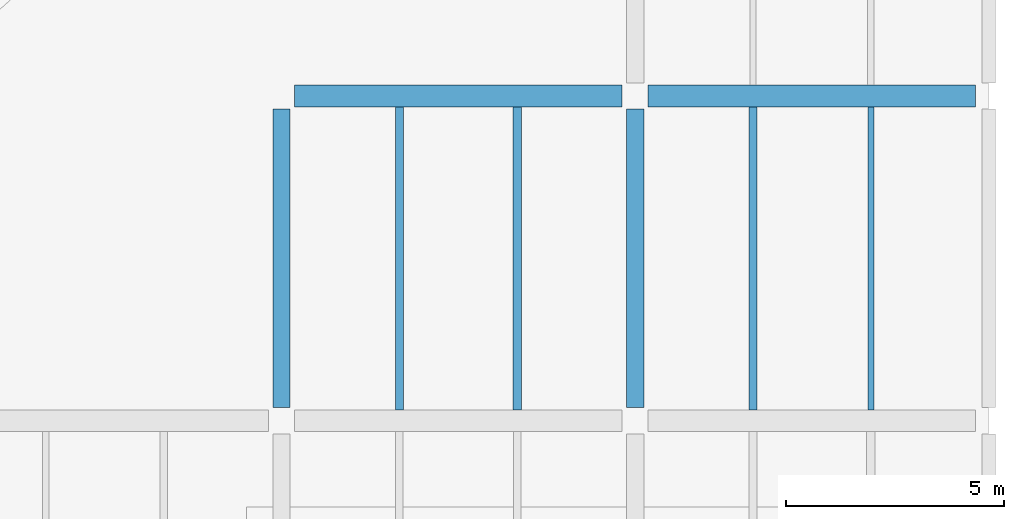
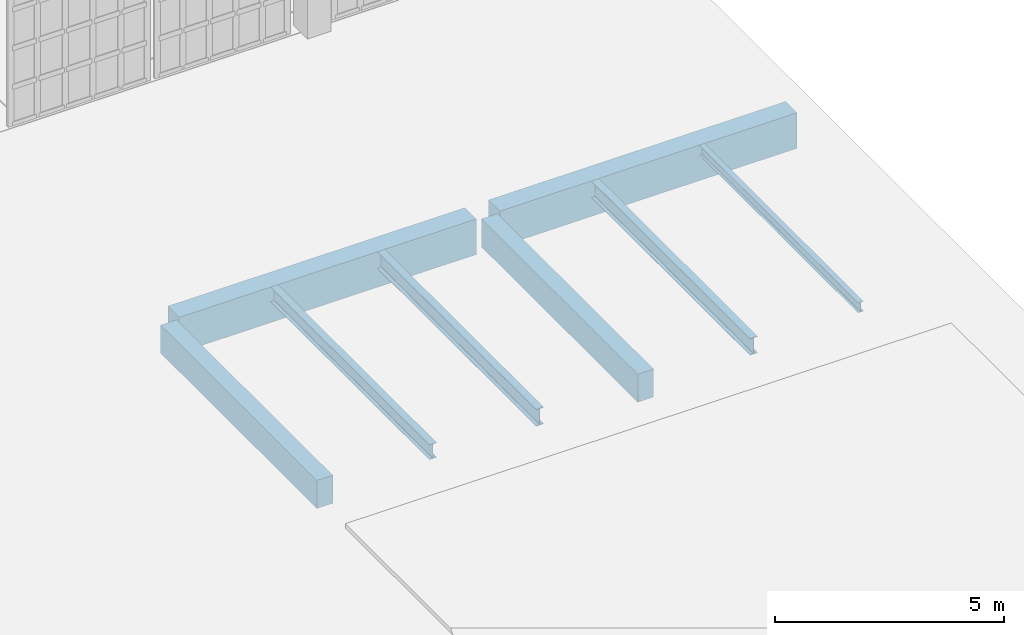
# One storey, part 266 of 372: 8 beams.
"""IFC4 building model written with IfcOpenShell, lengths in metres."""

from ifc_helpers import new_model, si_unit, direction, frame, origin, origin_2d, place, context, subcontext, project, spatial, rectangle, i_section, extrude, material, material_profile, profile_set, type_object, element, save


model = new_model("IFC4")

# Units and contexts
model_context = context("Model", 3, precision=1e-05, world=origin(), true_north=direction((0.0, 1.0)))
body_context = subcontext(model_context, "Body", "Model", "MODEL_VIEW")
ifc_project = project(units=[si_unit("LENGTHUNIT", "METRE"), si_unit("AREAUNIT", "SQUARE_METRE"), si_unit("VOLUMEUNIT", "CUBIC_METRE"), si_unit("PLANEANGLEUNIT", "RADIAN"), si_unit("MASSUNIT", "GRAM", prefix="KILO")], contexts=[model_context])

# Site, building, storey
site_placement = place(None, origin())
site = spatial("IfcSite", under=ifc_project, at=site_placement, CompositionType="ELEMENT")
building_placement = place(site_placement, origin())
building = spatial("IfcBuilding", under=site, at=building_placement, Name="Kaelora Sail Theatre", CompositionType="ELEMENT")
storey_placement = place(building_placement, origin())
storey = spatial("IfcBuildingStorey", under=building, at=storey_placement, Name="L00", CompositionType="ELEMENT", Elevation=0.0)

# Beams
ifc_material_1 = material(Name="Steel S355", Category="steel")
ifc_material_profile_1 = material_profile(ifc_material_1, i_section(OverallWidth=0.18994140625, OverallDepth=0.449951171875, WebThickness=0.009521484375, FlangeThickness=0.0146484375, FilletRadius=0.02099609375, at=origin_2d()), Name="IPE 450")
ifc_profile_set_1 = profile_set([ifc_material_profile_1], Name="Steel S355")
beam_type_1 = type_object("IfcBeamType", Name="STR-BM-BM-IPE450", PredefinedType="BEAM", material=ifc_profile_set_1)
for number, where, z_axis, x_axis, name in (
    (1, (152.699951171875, 16.6298828125, -0.544921875), (0.0, 1.0, 0.0), (-1.0, 0.0, 0.0), "Secondary floor joist 19/C-2 (L00)"),
    (2, (158.10009765625, 16.6298828125, -0.544921875), (0.0, 1.0, 0.0), (-1.0, 0.0, 0.0), "Secondary floor joist 20/C-1 (L00)"),
):
    element("IfcBeam", number, at=place(storey_placement, frame(where, z_axis=z_axis, x_axis=x_axis)), inside=storey, type_object=beam_type_1, Name=name, PredefinedType="BEAM", context=body_context, shape_type="SweptSolid", body=[
        extrude(i_section(OverallWidth=0.18994140625, OverallDepth=0.449951171875, WebThickness=0.009521484375, FlangeThickness=0.0146484375, FilletRadius=0.02099609375, at=origin_2d()), origin(), (0.0, 0.0, 1.0), 6.940185546875),
    ])
ifc_material_2 = material(Name="Concrete C40/50", Category="concrete")
ifc_material_profile_2 = material_profile(ifc_material_2, rectangle(XDim=0.39990234375, YDim=0.75, at=origin_2d()), Name="RC-BM 400x750")
ifc_profile_set_2 = profile_set([ifc_material_profile_2], Name="Concrete C40/50")
beam_type_2 = type_object("IfcBeamType", Name="STR-BM-BM-RC4075", PredefinedType="BEAM", material=ifc_profile_set_2)
for number, where, z_axis, x_axis, name in (
    (3, (147.300048828125, 16.679931640625, -0.695068359375), (0.0, 1.0, 0.0), (-1.0, 0.0, 0.0), "Primary beam 19 C-D (L00)"),
    (4, (155.39990234375, 16.679931640625, -0.695068359375), (0.0, 1.0, 0.0), (-1.0, 0.0, 0.0), "Primary beam 20 C-D (L00)"),
):
    element("IfcBeam", number, at=place(storey_placement, frame(where, z_axis=z_axis, x_axis=x_axis)), inside=storey, type_object=beam_type_2, Name=name, PredefinedType="BEAM", context=body_context, shape_type="SweptSolid", body=[
        extrude(rectangle(XDim=0.39990234375, YDim=0.75, at=origin_2d()), origin(), (0.0, 0.0, 1.0), 6.840087890625),
    ])
ifc_material_3 = material(Name="Concrete C45/55", Category="concrete")
ifc_material_profile_3 = material_profile(ifc_material_3, rectangle(XDim=0.5, YDim=0.949951171875, at=origin_2d()), Name="RC-GRD 500x950")
ifc_profile_set_3 = profile_set([ifc_material_profile_3], Name="Concrete C45/55")
beam_type_3 = type_object("IfcBeamType", Name="STR-BM-GR-RC5095", PredefinedType="T_BEAM", material=ifc_profile_set_3)
for number, where, z_axis, x_axis, name in (
    (5, (147.60009765625, 23.820068359375, -0.794921875), (1.0, 0.0, 0.0), (0.0, 1.0, 0.0), "Primary beam D 19-20 (L00)"),
    (6, (155.699951171875, 23.820068359375, -0.794921875), (1.0, 0.0, 0.0), (0.0, 1.0, 0.0), "Primary beam D 20-21 (L00)"),
):
    element("IfcBeam", number, at=place(storey_placement, frame(where, z_axis=z_axis, x_axis=x_axis)), inside=storey, type_object=beam_type_3, Name=name, PredefinedType="T_BEAM", context=body_context, shape_type="SweptSolid", body=[
        extrude(rectangle(XDim=0.5, YDim=0.949951171875, at=origin_2d()), origin(), (0.0, 0.0, 1.0), 7.5),
    ])
ifc_material_4 = material(Name="Steel S355", Category="steel")
ifc_material_profile_4 = material_profile(ifc_material_4, i_section(OverallWidth=0.135009765625, OverallDepth=0.27001953125, WebThickness=0.006591796875, FlangeThickness=0.01025390625, FilletRadius=0.014892578125, at=origin_2d()), Name="IPE 270")
ifc_profile_set_4 = profile_set([ifc_material_profile_4], Name="Steel S355")
beam_type_4 = type_object("IfcBeamType", Name="STR-BM-JS-IPE270", PredefinedType="JOIST", material=ifc_profile_set_4)
beam_1_placement = place(storey_placement, frame((160.800048828125, 16.6298828125, -0.455078125), z_axis=(0.0, 1.0, 0.0), x_axis=(-1.0, 0.0, 0.0)))
element("IfcBeam", 7, at=beam_1_placement, inside=storey, type_object=beam_type_4, Name="Secondary floor joist 20/C-2 (L00)", PredefinedType="JOIST", context=body_context, shape_type="SweptSolid", body=[
    extrude(i_section(OverallWidth=0.135009765625, OverallDepth=0.27001953125, WebThickness=0.006591796875, FlangeThickness=0.01025390625, FilletRadius=0.014892578125, at=origin_2d()), origin(), (0.0, 0.0, 1.0), 6.940185546875),
])
ifc_material_5 = material(Name="Steel S355", Category="steel")
ifc_material_profile_5 = material_profile(ifc_material_5, i_section(OverallWidth=0.179931640625, OverallDepth=0.39990234375, WebThickness=0.008544921875, FlangeThickness=0.013427734375, FilletRadius=0.02099609375, at=origin_2d()), Name="IPE 400")
ifc_profile_set_5 = profile_set([ifc_material_profile_5], Name="Steel S355")
beam_type_5 = type_object("IfcBeamType", Name="STR-BM-JS-IPE400", PredefinedType="JOIST", material=ifc_profile_set_5)
beam_2_placement = place(storey_placement, frame((150.0, 16.6298828125, -0.52001953125), z_axis=(0.0, 1.0, 0.0), x_axis=(-1.0, 0.0, 0.0)))
element("IfcBeam", 8, at=beam_2_placement, inside=storey, type_object=beam_type_5, Name="Secondary floor joist 19/C-1 (L00)", PredefinedType="JOIST", context=body_context, shape_type="SweptSolid", body=[
    extrude(i_section(OverallWidth=0.179931640625, OverallDepth=0.39990234375, WebThickness=0.008544921875, FlangeThickness=0.013427734375, FilletRadius=0.02099609375, at=origin_2d()), origin(), (0.0, 0.0, 1.0), 6.940185546875),
])

save(model, "model.ifc")
